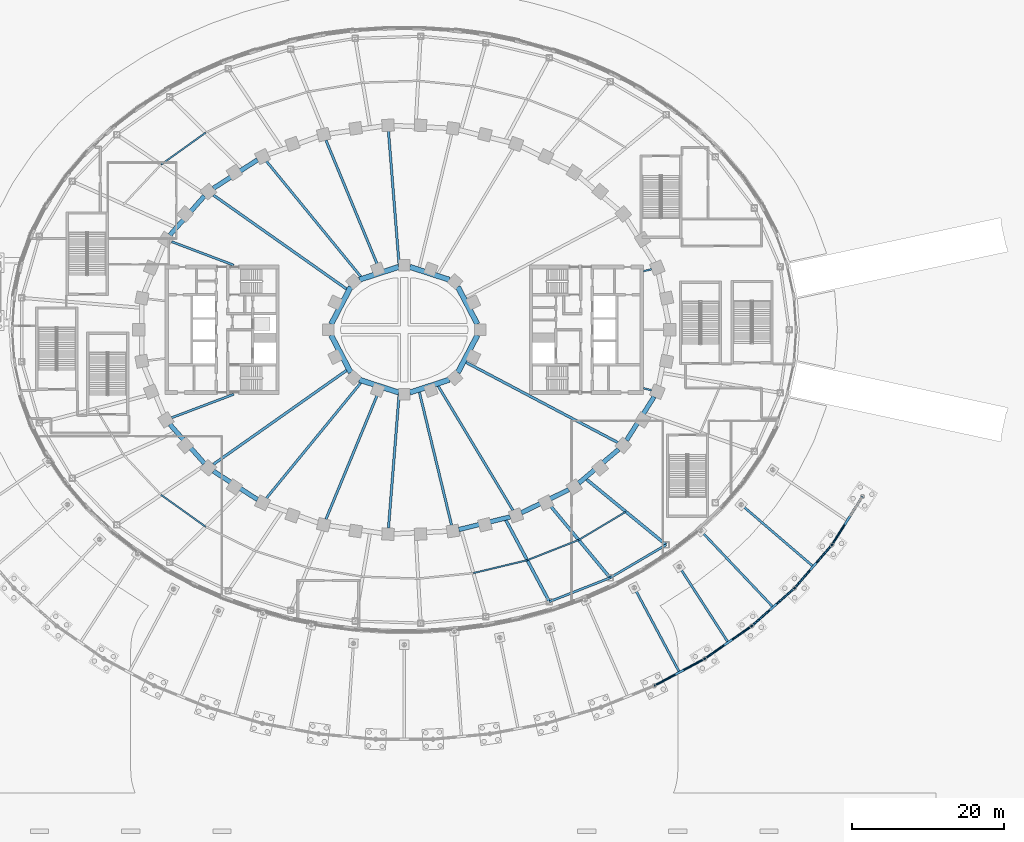
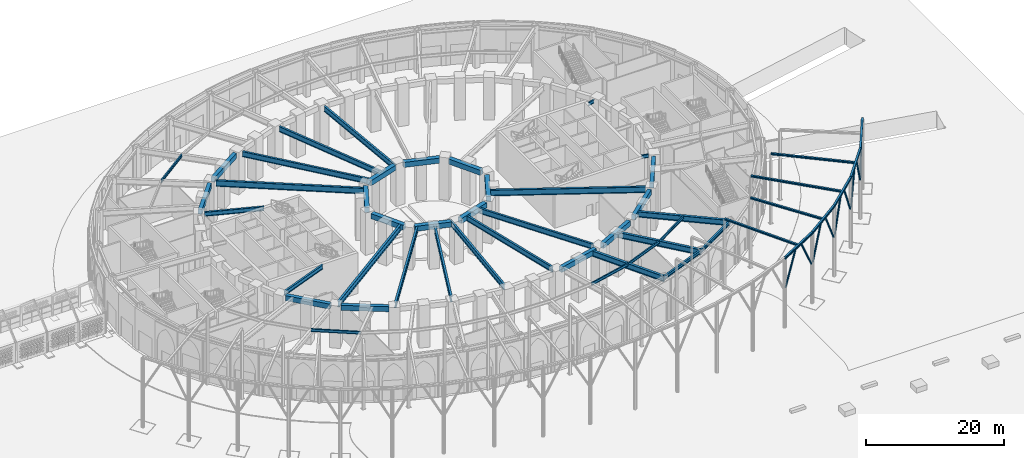
# One storey, part 31 of 79: 50 beams, 9 members.
"""IFC4 building model written with IfcOpenShell, lengths in metres."""

from ifc_helpers import new_model, si_unit, direction, frame, origin, origin_2d, place, context, subcontext, project, spatial, rectangle, hollow_circle, i_section, extrude, material, material_profile, profile_set, type_object, element, save


model = new_model("IFC4")

# Units and contexts
model_context = context("Model", 3, precision=1e-05, world=origin(), true_north=direction((0.0, 1.0)))
body_context = subcontext(model_context, "Body", "Model", "MODEL_VIEW")
ifc_project = project(units=[si_unit("LENGTHUNIT", "METRE"), si_unit("AREAUNIT", "SQUARE_METRE"), si_unit("VOLUMEUNIT", "CUBIC_METRE"), si_unit("PLANEANGLEUNIT", "RADIAN"), si_unit("MASSUNIT", "GRAM", prefix="KILO")], contexts=[model_context])

# Site, building, storey
site_placement = place(None, origin())
site = spatial("IfcSite", under=ifc_project, at=site_placement, CompositionType="ELEMENT")
building_placement = place(site_placement, origin())
building = spatial("IfcBuilding", under=site, at=building_placement, Name="Noorbagh Ring Tower", CompositionType="ELEMENT")
storey_placement = place(building_placement, origin())
storey = spatial("IfcBuildingStorey", under=building, at=storey_placement, Name="L00", CompositionType="ELEMENT", Elevation=0.0)

# Members
ifc_material_1 = material(Name="Steel S355", Category="steel")
ifc_material_profile_1 = material_profile(ifc_material_1, hollow_circle(Radius=0.136474609375, WallThickness=0.012451171875, at=origin_2d()), Name="CHS273x12.5")
ifc_profile_set_1 = profile_set([ifc_material_profile_1], Name="Steel S355")
member_type = type_object("IfcMemberType", Name="GND-CANOPY-BRANCH", PredefinedType="BRACE", material=ifc_profile_set_1)
for number, where, z_axis, x_axis, name in (
    (1, (33.068115234375, -46.768798828125, 6.873291015625), (0.416302445679, 0.222911822857, 0.881477505642), (-0.472044777021, 0.881574573413, 0.0), "Canopy branch 15.2"),
    (2, (39.356689453125, -43.401123046875, 6.873291015625), (-0.416302445679, -0.222911822857, 0.881477505642), (0.472044777021, -0.881574573413, 0.0), "Canopy branch 16.1"),
):
    element("IfcMember", number, at=place(storey_placement, frame(where, z_axis=z_axis, x_axis=x_axis)), inside=storey, type_object=member_type, Name=name, PredefinedType="BRACE", context=body_context, shape_type="SweptSolid", body=[
        extrude(hollow_circle(Radius=0.136474609375, WallThickness=0.012451171875, at=origin_2d()), origin(), (0.0, 0.0, 1.0), 5.9296875),
    ])
for number, where, z_axis, x_axis, name in (
    (3, (39.697021484375, -43.1923828125, 6.873291015625), (0.387444772852, 0.269934955454, 0.881488325398), (-0.571646825593, 0.820499790853, 0.0), "Canopy branch 16.2"),
    (4, (45.548583984375, -39.115234375, 6.873291015625), (-0.387409779018, -0.269939261478, 0.88150238697), (0.571687725155, -0.820471294384, 0.0), "Canopy branch 17.1"),
):
    element("IfcMember", number, at=place(storey_placement, frame(where, z_axis=z_axis, x_axis=x_axis)), inside=storey, type_object=member_type, Name=name, PredefinedType="BRACE", context=body_context, shape_type="SweptSolid", body=[
        extrude(hollow_circle(Radius=0.136474609375, WallThickness=0.012451171875, at=origin_2d()), origin(), (0.0, 0.0, 1.0), 5.929443359375),
    ])
for number, where, z_axis, x_axis, name in (
    (5, (45.86279296875, -38.868408203125, 6.873291015625), (0.353884098186, 0.312669673254, 0.881478145207), (-0.662120373146, 0.749397498972, 0.0), "Canopy branch 17.2"),
    (6, (51.207275390625, -34.146484375, 6.873291015625), (-0.353884098186, -0.312669673254, 0.881478145207), (0.662120373146, -0.749397498972, 0.0), "Canopy branch 18.1"),
):
    element("IfcMember", number, at=place(storey_placement, frame(where, z_axis=z_axis, x_axis=x_axis)), inside=storey, type_object=member_type, Name=name, PredefinedType="BRACE", context=body_context, shape_type="SweptSolid", body=[
        extrude(hollow_circle(Radius=0.136474609375, WallThickness=0.012451171875, at=origin_2d()), origin(), (0.0, 0.0, 1.0), 5.9296875),
    ])
for number, where, z_axis, x_axis, name in (
    (7, (51.48779296875, -33.86279296875, 6.873291015625), (0.308595633534, 0.357427444257, 0.881484178562), (-0.756919066248, 0.653508628214, 0.0), "Canopy branch 18.2"),
    (8, (56.1484375, -28.464599609375, 6.873291015625), (-0.308595633534, -0.357427444257, 0.881484178562), (0.756919066248, -0.653508628214, 0.0), "Canopy branch 19.1"),
):
    element("IfcMember", number, at=place(storey_placement, frame(where, z_axis=z_axis, x_axis=x_axis)), inside=storey, type_object=member_type, Name=name, PredefinedType="BRACE", context=body_context, shape_type="SweptSolid", body=[
        extrude(hollow_circle(Radius=0.136474609375, WallThickness=0.012451171875, at=origin_2d()), origin(), (0.0, 0.0, 1.0), 5.929443359375),
    ])
member_placement = place(storey_placement, frame((56.385986328125, -28.144287109375, 6.873291015625), z_axis=(0.252061231557, 0.399337125918, 0.881473196081), x_axis=(-0.845633897003, 0.533763348536, 0.0)))
element("IfcMember", 9, at=member_placement, inside=storey, type_object=member_type, Name="Canopy branch 19.2", PredefinedType="BRACE", context=body_context, shape_type="SweptSolid", body=[
    extrude(hollow_circle(Radius=0.136474609375, WallThickness=0.012451171875, at=origin_2d()), origin(), (0.0, 0.0, 1.0), 5.9296875),
])

# Beams
ifc_material_2 = material(Name="Steel S355", Category="steel")
ifc_material_profile_2 = material_profile(ifc_material_2, i_section(OverallWidth=0.300048828125, OverallDepth=0.300048828125, WebThickness=0.010986328125, FlangeThickness=0.01904296875, FilletRadius=0.027099609375, at=origin_2d()), Name="HEB300")
ifc_profile_set_2 = profile_set([ifc_material_profile_2], Name="Steel S355")
beam_type_1 = type_object("IfcBeamType", Name="GND-CANOPY-LINK", PredefinedType="BEAM", material=ifc_profile_set_2)
beam_1_placement = place(storey_placement, frame((30.27001953125, -33.952880859375, 12.300048828125), z_axis=(0.470903249663, -0.882184861271, 0.0), x_axis=(0.882184861271, 0.470903249663, 0.0)))
element("IfcBeam", 10, at=beam_1_placement, inside=storey, type_object=beam_type_1, Name="Canopy link beam", PredefinedType="BEAM", context=body_context, shape_type="SweptSolid", body=[
    extrude(i_section(OverallWidth=0.300048828125, OverallDepth=0.300048828125, WebThickness=0.010986328125, FlangeThickness=0.01904296875, FilletRadius=0.027099609375, at=origin_2d()), origin(), (0.0, 0.0, 1.0), 12.46875),
])
beam_2_placement = place(storey_placement, frame((36.18408203125, -31.1845703125, 12.300048828125), z_axis=(0.542544422172, -0.84002711264, 0.0), x_axis=(0.84002711264, 0.542544422172, 0.0)))
element("IfcBeam", 11, at=beam_2_placement, inside=storey, type_object=beam_type_1, Name="Canopy link beam", PredefinedType="BEAM", context=body_context, shape_type="SweptSolid", body=[
    extrude(i_section(OverallWidth=0.300048828125, OverallDepth=0.300048828125, WebThickness=0.010986328125, FlangeThickness=0.01904296875, FilletRadius=0.027099609375, at=origin_2d()), origin(), (0.0, 0.0, 1.0), 11.7177734375),
])
beam_3_placement = place(storey_placement, frame((38.998779296875, -26.435302734375, 12.300048828125), z_axis=(0.687527451499, -0.726158387293, 0.0), x_axis=(0.726158387293, 0.687527451499, 0.0)))
element("IfcBeam", 12, at=beam_3_placement, inside=storey, type_object=beam_type_1, Name="Canopy link beam", PredefinedType="BEAM", context=body_context, shape_type="SweptSolid", body=[
    extrude(i_section(OverallWidth=0.300048828125, OverallDepth=0.300048828125, WebThickness=0.010986328125, FlangeThickness=0.01904296875, FilletRadius=0.027099609375, at=origin_2d()), origin(), (0.0, 0.0, 1.0), 13.72021484375),
])
beam_4_placement = place(storey_placement, frame((44.3251953125, -23.014404296875, 12.300048828125), z_axis=(0.75876703225, -0.651362104187, 0.0), x_axis=(0.651362104187, 0.75876703225, 0.0)))
element("IfcBeam", 13, at=beam_4_placement, inside=storey, type_object=beam_type_1, Name="Canopy link beam", PredefinedType="BEAM", context=body_context, shape_type="SweptSolid", body=[
    extrude(i_section(OverallWidth=0.300048828125, OverallDepth=0.300048828125, WebThickness=0.010986328125, FlangeThickness=0.01904296875, FilletRadius=0.027099609375, at=origin_2d()), origin(), (0.0, 0.0, 1.0), 12.361083984375),
])
ifc_material_3 = material(Name="Steel S355", Category="steel")
ifc_material_profile_3 = material_profile(ifc_material_3, i_section(OverallWidth=0.300048828125, OverallDepth=0.39990234375, WebThickness=0.013427734375, FlangeThickness=0.02392578125, FilletRadius=0.027099609375, at=origin_2d()), Name="HEB400")
ifc_profile_set_3 = profile_set([ifc_material_profile_3], Name="Steel S355")
beam_type_2 = type_object("IfcBeamType", Name="GND-CANOPY-RING", PredefinedType="BEAM", material=ifc_profile_set_3)
beam_5_placement = place(storey_placement, frame((32.891845703125, -46.863037109375, 12.25), z_axis=(0.88156764003, 0.472057725339, 0.0), x_axis=(-0.472057725339, 0.88156764003, 0.0)))
element("IfcBeam", 14, at=beam_5_placement, inside=storey, type_object=beam_type_2, Name="Canopy ring beam", PredefinedType="BEAM", context=body_context, shape_type="SweptSolid", body=[
    extrude(i_section(OverallWidth=0.300048828125, OverallDepth=0.39990234375, WebThickness=0.013427734375, FlangeThickness=0.02392578125, FilletRadius=0.027099609375, at=origin_2d()), origin(), (0.0, 0.0, 1.0), 7.533203125),
])
beam_6_placement = place(storey_placement, frame((39.532958984375, -43.306884765625, 12.25), z_axis=(0.820480173426, 0.571674981974, 0.0), x_axis=(-0.571674981974, 0.820480173426, 0.0)))
element("IfcBeam", 15, at=beam_6_placement, inside=storey, type_object=beam_type_2, Name="Canopy ring beam", PredefinedType="BEAM", context=body_context, shape_type="SweptSolid", body=[
    extrude(i_section(OverallWidth=0.300048828125, OverallDepth=0.39990234375, WebThickness=0.013427734375, FlangeThickness=0.02392578125, FilletRadius=0.027099609375, at=origin_2d()), origin(), (0.0, 0.0, 1.0), 7.531982421875),
])
for number, where, z_axis, x_axis, name in (
    (16, (45.712890625, -39.0009765625, 12.25), (0.749405388458, 0.662111443603, 0.0), (-0.662111443603, 0.749405388458, 0.0), "Canopy ring beam"),
    (17, (51.357177734375, -34.01416015625, 12.25), (0.653512684312, 0.756915564276, 0.0), (-0.756915564276, 0.653512684312, 0.0), "Canopy ring beam"),
):
    element("IfcBeam", number, at=place(storey_placement, frame(where, z_axis=z_axis, x_axis=x_axis)), inside=storey, type_object=beam_type_2, Name=name, PredefinedType="BEAM", context=body_context, shape_type="SweptSolid", body=[
        extrude(i_section(OverallWidth=0.300048828125, OverallDepth=0.39990234375, WebThickness=0.013427734375, FlangeThickness=0.02392578125, FilletRadius=0.027099609375, at=origin_2d()), origin(), (0.0, 0.0, 1.0), 7.53173828125),
    ])
beam_7_placement = place(storey_placement, frame((56.279296875, -28.313232421875, 12.25), z_axis=(0.533768479391, 0.845630658389, 0.0), x_axis=(-0.845630658389, 0.533768479391, 0.0)))
element("IfcBeam", 18, at=beam_7_placement, inside=storey, type_object=beam_type_2, Name="Canopy ring beam", PredefinedType="BEAM", context=body_context, shape_type="SweptSolid", body=[
    extrude(i_section(OverallWidth=0.300048828125, OverallDepth=0.39990234375, WebThickness=0.013427734375, FlangeThickness=0.02392578125, FilletRadius=0.027099609375, at=origin_2d()), origin(), (0.0, 0.0, 1.0), 7.528564453125),
])
ifc_material_4 = material(Name="Steel S355", Category="steel")
ifc_material_profile_4 = material_profile(ifc_material_4, i_section(OverallWidth=0.300048828125, OverallDepth=0.60009765625, WebThickness=0.015380859375, FlangeThickness=0.030029296875, FilletRadius=0.027099609375, at=origin_2d()), Name="HEB600")
ifc_profile_set_4 = profile_set([ifc_material_profile_4], Name="Steel S355")
beam_type_3 = type_object("IfcBeamType", Name="GND-EDGE-BEAM-HEB600", PredefinedType="BEAM", material=ifc_profile_set_4)
beam_8_placement = place(storey_placement, frame((19.0966796875, -35.791748046875, 6.949951171875), z_axis=(0.930571668723, 0.366109777758, 0.0), x_axis=(-0.366109777758, 0.930571668723, 0.0)))
element("IfcBeam", 19, at=beam_8_placement, inside=storey, type_object=beam_type_3, Name="L00/bm/ERP-28", PredefinedType="BEAM", context=body_context, shape_type="SweptSolid", body=[
    extrude(i_section(OverallWidth=0.300048828125, OverallDepth=0.60009765625, WebThickness=0.015380859375, FlangeThickness=0.030029296875, FilletRadius=0.027099609375, at=origin_2d()), origin(), (0.0, 0.0, 1.0), 8.58642578125),
])
beam_9_placement = place(storey_placement, frame((27.0869140625, -32.648193359375, 6.949951171875), z_axis=(0.8618652907, 0.507137279922, 0.0), x_axis=(-0.507137279922, 0.8618652907, 0.0)))
element("IfcBeam", 20, at=beam_9_placement, inside=storey, type_object=beam_type_3, Name="L00/bm/ERP-29", PredefinedType="BEAM", context=body_context, shape_type="SweptSolid", body=[
    extrude(i_section(OverallWidth=0.300048828125, OverallDepth=0.60009765625, WebThickness=0.015380859375, FlangeThickness=0.030029296875, FilletRadius=0.027099609375, at=origin_2d()), origin(), (0.0, 0.0, 1.0), 8.560302734375),
])
ifc_material_5 = material(Name="Steel S355", Category="steel")
ifc_material_profile_5 = material_profile(ifc_material_5, i_section(OverallWidth=0.39990234375, OverallDepth=1.0, WebThickness=0.01611328125, FlangeThickness=0.0400390625, at=origin_2d()), Name="PG1000x400x16x40")
ifc_profile_set_5 = profile_set([ifc_material_profile_5], Name="Steel S355")
beam_type_4 = type_object("IfcBeamType", Name="GND-GIRDER-PG1000x400x16x40", PredefinedType="BEAM", material=ifc_profile_set_5)
beam_10_placement = place(storey_placement, frame((19.0966796875, -35.791748046875, 6.75), z_axis=(-0.470746944877, 0.88226827773, 0.0), x_axis=(-0.88226827773, -0.470746944877, 0.0)))
element("IfcBeam", 21, at=beam_10_placement, inside=storey, type_object=beam_type_4, Name="L00/bm/GRP-28", PredefinedType="BEAM", context=body_context, shape_type="SweptSolid", body=[
    extrude(i_section(OverallWidth=0.39990234375, OverallDepth=1.0, WebThickness=0.01611328125, FlangeThickness=0.0400390625, at=origin_2d()), origin(), (0.0, 0.0, 1.0), 12.375),
])
beam_11_placement = place(storey_placement, frame((27.0869140625, -32.648193359375, 6.75), z_axis=(-0.638516852805, 0.769607840841, 0.0), x_axis=(-0.769607840841, -0.638516852805, 0.0)))
element("IfcBeam", 22, at=beam_11_placement, inside=storey, type_object=beam_type_4, Name="L00/bm/GRP-29", PredefinedType="BEAM", context=body_context, shape_type="SweptSolid", body=[
    extrude(i_section(OverallWidth=0.39990234375, OverallDepth=1.0, WebThickness=0.01611328125, FlangeThickness=0.0400390625, at=origin_2d()), origin(), (0.0, 0.0, 1.0), 12.943603515625),
])
beam_12_placement = place(storey_placement, frame((34.46484375, -28.306884765625, 6.75), z_axis=(-0.772763025599, 0.63469465593, 0.0), x_axis=(-0.63469465593, -0.772763025599, 0.0)))
element("IfcBeam", 23, at=beam_12_placement, inside=storey, type_object=beam_type_4, Name="L00/bm/GRP-30", PredefinedType="BEAM", context=body_context, shape_type="SweptSolid", body=[
    extrude(i_section(OverallWidth=0.39990234375, OverallDepth=1.0, WebThickness=0.01611328125, FlangeThickness=0.0400390625, at=origin_2d()), origin(), (0.0, 0.0, 1.0), 13.723388671875),
])
ifc_material_6 = material(Name="Steel S355", Category="steel")
ifc_material_profile_6 = material_profile(ifc_material_6, i_section(OverallWidth=0.199951171875, OverallDepth=0.5, WebThickness=0.01025390625, FlangeThickness=0.01611328125, FilletRadius=0.02099609375, at=origin_2d()), Name="IPE500")
ifc_profile_set_6 = profile_set([ifc_material_profile_6], Name="Steel S355")
beam_type_5 = type_object("IfcBeamType", Name="GND-MID-BEAM-IPE500", PredefinedType="JOIST", material=ifc_profile_set_6)
for number, where, z_axis, x_axis, name in (
    (24, (-26.13671875, 25.933349609375, 7.0), (-0.813381743113, -0.581730298308, 0.0), (0.581730298308, -0.813381743113, 0.0), "L00/bm/MRP-13"),
    (25, (-32.013916015625, -21.72998046875, 7.0), (0.813381743113, -0.581730298308, 0.0), (0.581730298308, 0.813381743113, 0.0), "L00/bm/MRP-21"),
):
    element("IfcBeam", number, at=place(storey_placement, frame(where, z_axis=z_axis, x_axis=x_axis)), inside=storey, type_object=beam_type_5, Name=name, PredefinedType="JOIST", context=body_context, shape_type="SweptSolid", body=[
        extrude(i_section(OverallWidth=0.199951171875, OverallDepth=0.5, WebThickness=0.01025390625, FlangeThickness=0.01611328125, FilletRadius=0.02099609375, at=origin_2d()), origin(), (0.0, 0.0, 1.0), 7.2255859375),
    ])
beam_13_placement = place(storey_placement, frame((9.093994140625, -32.028564453125, 7.0), z_axis=(0.972568186564, 0.23261797541, 0.0), x_axis=(-0.23261797541, 0.972568186564, 0.0)))
element("IfcBeam", 26, at=beam_13_placement, inside=storey, type_object=beam_type_5, Name="L00/bm/MRP-27", PredefinedType="JOIST", context=body_context, shape_type="SweptSolid", body=[
    extrude(i_section(OverallWidth=0.199951171875, OverallDepth=0.5, WebThickness=0.01025390625, FlangeThickness=0.01611328125, FilletRadius=0.02099609375, at=origin_2d()), origin(), (0.0, 0.0, 1.0), 7.2900390625),
])
beam_14_placement = place(storey_placement, frame((16.18408203125, -30.332763671875, 7.0), z_axis=(0.930496782909, 0.36630006415, 0.0), x_axis=(-0.36630006415, 0.930496782909, 0.0)))
element("IfcBeam", 27, at=beam_14_placement, inside=storey, type_object=beam_type_5, Name="L00/bm/MRP-28", PredefinedType="JOIST", context=body_context, shape_type="SweptSolid", body=[
    extrude(i_section(OverallWidth=0.199951171875, OverallDepth=0.5, WebThickness=0.01025390625, FlangeThickness=0.01611328125, FilletRadius=0.02099609375, at=origin_2d()), origin(), (0.0, 0.0, 1.0), 7.276123046875),
])
beam_15_placement = place(storey_placement, frame((22.95458984375, -27.66748046875, 7.0), z_axis=(0.858046251749, 0.513572419293, 0.0), x_axis=(-0.513572419293, 0.858046251749, 0.0)))
element("IfcBeam", 28, at=beam_15_placement, inside=storey, type_object=beam_type_5, Name="L00/bm/MRP-29", PredefinedType="JOIST", context=body_context, shape_type="SweptSolid", body=[
    extrude(i_section(OverallWidth=0.199951171875, OverallDepth=0.5, WebThickness=0.01025390625, FlangeThickness=0.01611328125, FilletRadius=0.02099609375, at=origin_2d()), origin(), (0.0, 0.0, 1.0), 7.23486328125),
])
ifc_material_7 = material(Name="Steel S355", Category="steel")
ifc_material_profile_7 = material_profile(ifc_material_7, i_section(OverallWidth=0.219970703125, OverallDepth=0.60009765625, WebThickness=0.011962890625, FlangeThickness=0.01904296875, FilletRadius=0.02392578125, at=origin_2d()), Name="IPE600")
ifc_profile_set_7 = profile_set([ifc_material_profile_7], Name="Steel S355")
beam_type_6 = type_object("IfcBeamType", Name="STR-RAD-IPE600", PredefinedType="BEAM", material=ifc_profile_set_7)
for number, where, z_axis, x_axis, name in (
    (29, (32.538818359375, 7.9619140625, 6.949951171875), (-0.971330054052, -0.237734991315, 0.0), (0.237734991315, -0.971330054052, 0.0), "L00/bm/RD03"),
    (30, (32.538818359375, -7.9619140625, 6.949951171875), (-0.971330054052, 0.237734991315, 0.0), (-0.237734991315, -0.971330054052, 0.0), "L00/bm/RD45"),
):
    element("IfcBeam", number, at=place(storey_placement, frame(where, z_axis=z_axis, x_axis=x_axis)), inside=storey, type_object=beam_type_6, Name=name, PredefinedType="BEAM", context=body_context, shape_type="SweptSolid", body=[
        extrude(i_section(OverallWidth=0.219970703125, OverallDepth=0.60009765625, WebThickness=0.011962890625, FlangeThickness=0.01904296875, FilletRadius=0.02392578125, at=origin_2d()), origin(), (0.0, 0.0, 1.0), 1.089599609375),
    ])
ifc_material_8 = material(Name="Steel S355", Category="steel")
ifc_material_profile_8 = material_profile(ifc_material_8, i_section(OverallWidth=0.35009765625, OverallDepth=1.050048828125, WebThickness=0.01806640625, FlangeThickness=0.033935546875, at=origin_2d()), Name="PG1050x350x18x34")
ifc_profile_set_8 = profile_set([ifc_material_profile_8], Name="Steel S355")
beam_type_7 = type_object("IfcBeamType", Name="STR-RAD-PG1050x350x18x34", PredefinedType="BEAM", material=ifc_profile_set_8)
for number, where, z_axis, x_axis, name in (
    (31, (-25.12353515625, 17.715576171875, 6.72509765625), (0.817253259362, -0.576278673961, 0.0), (0.576278673961, 0.817253259362, 0.0), "L00/bm/RD19"),
    (32, (-25.12353515625, -17.715576171875, 6.72509765625), (0.817253259362, 0.576278673961, 0.0), (-0.576278673961, 0.817253259362, 0.0), "L00/bm/RD29"),
):
    element("IfcBeam", number, at=place(storey_placement, frame(where, z_axis=z_axis, x_axis=x_axis)), inside=storey, type_object=beam_type_7, Name=name, PredefinedType="BEAM", context=body_context, shape_type="SweptSolid", body=[
        extrude(i_section(OverallWidth=0.35009765625, OverallDepth=1.050048828125, WebThickness=0.01806640625, FlangeThickness=0.033935546875, at=origin_2d()), origin(), (0.0, 0.0, 1.0), 21.471435546875),
    ])
beam_16_placement = place(storey_placement, frame((28.108642578125, -14.855224609375, 6.72509765625), z_axis=(-0.884121906441, 0.467256304988, 0.0), x_axis=(-0.467256304988, -0.884121906441, 0.0)))
element("IfcBeam", 33, at=beam_16_placement, inside=storey, type_object=beam_type_7, Name="L00/bm/RD43", PredefinedType="BEAM", context=body_context, shape_type="SweptSolid", body=[
    extrude(i_section(OverallWidth=0.35009765625, OverallDepth=1.050048828125, WebThickness=0.01806640625, FlangeThickness=0.033935546875, at=origin_2d()), origin(), (0.0, 0.0, 1.0), 22.601806640625),
])
ifc_material_9 = material(Name="Steel S355", Category="steel")
ifc_material_profile_9 = material_profile(ifc_material_9, i_section(OverallWidth=0.300048828125, OverallDepth=0.75, WebThickness=0.013916015625, FlangeThickness=0.02587890625, at=origin_2d()), Name="PG750x300x14x26")
ifc_profile_set_9 = profile_set([ifc_material_profile_9], Name="Steel S355")
beam_type_8 = type_object("IfcBeamType", Name="STR-RAD-PG750x300x14x26", PredefinedType="BEAM", material=ifc_profile_set_9)
for number, where, z_axis, x_axis, name in (
    (34, (-30.619873046875, 11.5888671875, 6.875), (0.935258038122, -0.353966668102, 0.0), (0.353966668102, 0.935258038122, 0.0), "L00/bm/RD21"),
    (35, (-30.619873046875, -11.5888671875, 6.875), (0.935258038122, 0.353966668102, 0.0), (-0.353966668102, 0.935258038122, 0.0), "L00/bm/RD27"),
):
    element("IfcBeam", number, at=place(storey_placement, frame(where, z_axis=z_axis, x_axis=x_axis)), inside=storey, type_object=beam_type_8, Name=name, PredefinedType="BEAM", context=body_context, shape_type="SweptSolid", body=[
        extrude(i_section(OverallWidth=0.300048828125, OverallDepth=0.75, WebThickness=0.013916015625, FlangeThickness=0.02587890625, at=origin_2d()), origin(), (0.0, 0.0, 1.0), 8.746337890625),
    ])
ifc_material_10 = material(Name="Steel S355", Category="steel")
ifc_material_profile_10 = material_profile(ifc_material_10, i_section(OverallWidth=0.320068359375, OverallDepth=0.949951171875, WebThickness=0.01611328125, FlangeThickness=0.030029296875, at=origin_2d()), Name="PG950x320x16x30")
ifc_profile_set_10 = profile_set([ifc_material_profile_10], Name="Steel S355")
beam_type_9 = type_object("IfcBeamType", Name="STR-RAD-PG950x320x16x30", PredefinedType="BEAM", material=ifc_profile_set_10)
beam_17_placement = place(storey_placement, frame((-2.081298828125, 26.1201171875, 6.77490234375), z_axis=(0.079425808882, -0.996840780107, 0.0), x_axis=(0.996840780107, 0.079425808882, 0.0)))
element("IfcBeam", 36, at=beam_17_placement, inside=storey, type_object=beam_type_9, Name="L00/bm/RD13", PredefinedType="BEAM", context=body_context, shape_type="SweptSolid", body=[
    extrude(i_section(OverallWidth=0.320068359375, OverallDepth=0.949951171875, WebThickness=0.01611328125, FlangeThickness=0.030029296875, at=origin_2d()), origin(), (0.0, 0.0, 1.0), 18.227783203125),
])
beam_18_placement = place(storey_placement, frame((-10.311767578125, 24.9443359375, 6.77490234375), z_axis=(0.382034392842, -0.924148106467, 0.0), x_axis=(0.924148106467, 0.382034392842, 0.0)))
element("IfcBeam", 37, at=beam_18_placement, inside=storey, type_object=beam_type_9, Name="L00/bm/RD15", PredefinedType="BEAM", context=body_context, shape_type="SweptSolid", body=[
    extrude(i_section(OverallWidth=0.320068359375, OverallDepth=0.949951171875, WebThickness=0.01611328125, FlangeThickness=0.030029296875, at=origin_2d()), origin(), (0.0, 0.0, 1.0), 18.548583984375),
])
for number, where, z_axis, x_axis, name in (
    (38, (-18.138427734375, 22.164794921875, 6.77490234375), (0.633308995725, -0.773899034715, 0.0), (0.773899034715, 0.633308995725, 0.0), "L00/bm/RD17"),
    (39, (-18.138427734375, -22.164794921875, 6.77490234375), (0.633308995725, 0.773899034715, 0.0), (-0.773899034715, 0.633308995725, 0.0), "L00/bm/RD31"),
):
    element("IfcBeam", number, at=place(storey_placement, frame(where, z_axis=z_axis, x_axis=x_axis)), inside=storey, type_object=beam_type_9, Name=name, PredefinedType="BEAM", context=body_context, shape_type="SweptSolid", body=[
        extrude(i_section(OverallWidth=0.320068359375, OverallDepth=0.949951171875, WebThickness=0.01611328125, FlangeThickness=0.030029296875, at=origin_2d()), origin(), (0.0, 0.0, 1.0), 19.603759765625),
    ])
beam_19_placement = place(storey_placement, frame((-10.311767578125, -24.9443359375, 6.77490234375), z_axis=(0.382034392842, 0.924148106467, 0.0), x_axis=(-0.924148106467, 0.382034392842, 0.0)))
element("IfcBeam", 40, at=beam_19_placement, inside=storey, type_object=beam_type_9, Name="L00/bm/RD33", PredefinedType="BEAM", context=body_context, shape_type="SweptSolid", body=[
    extrude(i_section(OverallWidth=0.320068359375, OverallDepth=0.949951171875, WebThickness=0.01611328125, FlangeThickness=0.030029296875, at=origin_2d()), origin(), (0.0, 0.0, 1.0), 18.548583984375),
])
beam_20_placement = place(storey_placement, frame((-2.081298828125, -26.1201171875, 6.77490234375), z_axis=(0.079425808882, 0.996840780107, 0.0), x_axis=(-0.996840780107, 0.079425808882, 0.0)))
element("IfcBeam", 41, at=beam_20_placement, inside=storey, type_object=beam_type_9, Name="L00/bm/RD35", PredefinedType="BEAM", context=body_context, shape_type="SweptSolid", body=[
    extrude(i_section(OverallWidth=0.320068359375, OverallDepth=0.949951171875, WebThickness=0.01611328125, FlangeThickness=0.030029296875, at=origin_2d()), origin(), (0.0, 0.0, 1.0), 18.227783203125),
])
beam_21_placement = place(storey_placement, frame((6.22509765625, -25.729248046875, 6.77490234375), z_axis=(-0.235155855534, 0.971957675832, 0.0), x_axis=(-0.971957675832, -0.235155855534, 0.0)))
element("IfcBeam", 42, at=beam_21_placement, inside=storey, type_object=beam_type_9, Name="L00/bm/RD37", PredefinedType="BEAM", context=body_context, shape_type="SweptSolid", body=[
    extrude(i_section(OverallWidth=0.320068359375, OverallDepth=0.949951171875, WebThickness=0.01611328125, FlangeThickness=0.030029296875, at=origin_2d()), origin(), (0.0, 0.0, 1.0), 18.029541015625),
])
beam_22_placement = place(storey_placement, frame((14.29931640625, -23.759033203125, 6.77490234375), z_axis=(-0.515655762899, 0.856795853275, 0.0), x_axis=(-0.856795853275, -0.515655762899, 0.0)))
element("IfcBeam", 43, at=beam_22_placement, inside=storey, type_object=beam_type_9, Name="L00/bm/RD39", PredefinedType="BEAM", context=body_context, shape_type="SweptSolid", body=[
    extrude(i_section(OverallWidth=0.320068359375, OverallDepth=0.949951171875, WebThickness=0.01611328125, FlangeThickness=0.030029296875, at=origin_2d()), origin(), (0.0, 0.0, 1.0), 19.0888671875),
])
ifc_material_11 = material(Name="Concrete C40/50", Category="concrete")
ifc_material_profile_11 = material_profile(ifc_material_11, rectangle(XDim=0.699951171875, YDim=0.89990234375, at=origin_2d()), Name="RC700x900")
ifc_profile_set_11 = profile_set([ifc_material_profile_11], Name="Concrete C40/50")
beam_type_10 = type_object("IfcBeamType", Name="STR-RB-RC700x900-C40-50", PredefinedType="BEAM", material=ifc_profile_set_11)
beam_23_placement = place(storey_placement, frame((9.623779296875, 0.732177734375, 6.800048828125), z_axis=(-0.464916752751, 0.885354399668, 0.0), x_axis=(-0.885354399668, -0.464916752751, 0.0)))
element("IfcBeam", 44, at=beam_23_placement, inside=storey, type_object=beam_type_10, Name="L00/bm/RG01", PredefinedType="BEAM", context=body_context, shape_type="SweptSolid", body=[
    extrude(rectangle(XDim=0.699951171875, YDim=0.89990234375, at=origin_2d()), origin(), (0.0, 0.0, 1.0), 5.543701171875),
])
for number, where, z_axis, x_axis, name in (
    (45, (5.92431640625, 6.579833984375, 6.800048828125), (-0.951144414124, 0.308746341648, 0.0), (-0.308746341648, -0.951144414124, 0.0), "L00/bm/RG03"),
    (46, (-0.73095703125, 8.265625, 6.800048828125), (-0.951144414124, -0.308746341648, 0.0), (0.308746341648, -0.951144414124, 0.0), "L00/bm/RG05"),
):
    element("IfcBeam", number, at=place(storey_placement, frame(where, z_axis=z_axis, x_axis=x_axis)), inside=storey, type_object=beam_type_10, Name=name, PredefinedType="BEAM", context=body_context, shape_type="SweptSolid", body=[
        extrude(rectangle(XDim=0.699951171875, YDim=0.89990234375, at=origin_2d()), origin(), (0.0, 0.0, 1.0), 5.460205078125),
    ])
for number, where, z_axis, x_axis, name in (
    (47, (-7.04638671875, 5.640380859375, 6.800048828125), (-0.464916752751, -0.885354399668, 0.0), (0.885354399668, -0.464916752751, 0.0), "L00/bm/RG07"),
    (48, (-9.623779296875, -0.732177734375, 6.800048828125), (0.464916752751, -0.885354399668, 0.0), (0.885354399668, 0.464916752751, 0.0), "L00/bm/RG09"),
):
    element("IfcBeam", number, at=place(storey_placement, frame(where, z_axis=z_axis, x_axis=x_axis)), inside=storey, type_object=beam_type_10, Name=name, PredefinedType="BEAM", context=body_context, shape_type="SweptSolid", body=[
        extrude(rectangle(XDim=0.699951171875, YDim=0.89990234375, at=origin_2d()), origin(), (0.0, 0.0, 1.0), 5.543701171875),
    ])
for number, where, z_axis, x_axis, name in (
    (49, (-5.92431640625, -6.579833984375, 6.800048828125), (0.951144414124, -0.308746341648, 0.0), (0.308746341648, 0.951144414124, 0.0), "L00/bm/RG11"),
    (50, (0.73095703125, -8.265625, 6.800048828125), (0.951144414124, 0.308746341648, 0.0), (-0.308746341648, 0.951144414124, 0.0), "L00/bm/RG13"),
):
    element("IfcBeam", number, at=place(storey_placement, frame(where, z_axis=z_axis, x_axis=x_axis)), inside=storey, type_object=beam_type_10, Name=name, PredefinedType="BEAM", context=body_context, shape_type="SweptSolid", body=[
        extrude(rectangle(XDim=0.699951171875, YDim=0.89990234375, at=origin_2d()), origin(), (0.0, 0.0, 1.0), 5.460205078125),
    ])
beam_24_placement = place(storey_placement, frame((7.04638671875, -5.640380859375, 6.800048828125), z_axis=(0.464916752751, 0.885354399668, 0.0), x_axis=(-0.885354399668, 0.464916752751, 0.0)))
element("IfcBeam", 51, at=beam_24_placement, inside=storey, type_object=beam_type_10, Name="L00/bm/RG15", PredefinedType="BEAM", context=body_context, shape_type="SweptSolid", body=[
    extrude(rectangle(XDim=0.699951171875, YDim=0.89990234375, at=origin_2d()), origin(), (0.0, 0.0, 1.0), 5.543701171875),
])
ifc_material_12 = material(Name="Concrete C40/50", Category="concrete")
ifc_material_profile_12 = material_profile(ifc_material_12, rectangle(XDim=0.60009765625, YDim=0.89990234375, at=origin_2d()), Name="RC600x900")
ifc_profile_set_12 = profile_set([ifc_material_profile_12], Name="Concrete C40/50")
beam_type_11 = type_object("IfcBeamType", Name="STR-SB-RC600x900-C40-50", PredefinedType="BEAM", material=ifc_profile_set_12)
beam_25_placement = place(storey_placement, frame((-19.306396484375, 22.359375, 6.800048828125), z_axis=(-0.840249989986, -0.542199183261, 0.0), x_axis=(0.542199183261, -0.840249989986, 0.0)))
element("IfcBeam", 52, at=beam_25_placement, inside=storey, type_object=beam_type_11, Name="L00/bm/SP17", PredefinedType="BEAM", context=body_context, shape_type="SweptSolid", body=[
    extrude(rectangle(XDim=0.60009765625, YDim=0.89990234375, at=origin_2d()), origin(), (0.0, 0.0, 1.0), 6.9208984375),
])
for number, where, z_axis, x_axis, name in (
    (53, (-26.30517578125, 17.58984375, 6.800048828125), (-0.662635440904, -0.748942102206, 0.0), (0.748942102206, -0.662635440904, 0.0), "L00/bm/SP19"),
    (54, (-30.84130859375, -12.462890625, 6.800048828125), (0.662635440904, -0.748942102206, 0.0), (0.748942102206, 0.662635440904, 0.0), "L00/bm/SP27"),
):
    element("IfcBeam", number, at=place(storey_placement, frame(where, z_axis=z_axis, x_axis=x_axis)), inside=storey, type_object=beam_type_11, Name=name, PredefinedType="BEAM", context=body_context, shape_type="SweptSolid", body=[
        extrude(rectangle(XDim=0.60009765625, YDim=0.89990234375, at=origin_2d()), origin(), (0.0, 0.0, 1.0), 6.845703125),
    ])
beam_26_placement = place(storey_placement, frame((-25.12158203125, -18.60693359375, 6.800048828125), z_axis=(0.840249989986, -0.542199183261, 0.0), x_axis=(0.542199183261, 0.840249989986, 0.0)))
element("IfcBeam", 55, at=beam_26_placement, inside=storey, type_object=beam_type_11, Name="L00/bm/SP29", PredefinedType="BEAM", context=body_context, shape_type="SweptSolid", body=[
    extrude(rectangle(XDim=0.60009765625, YDim=0.89990234375, at=origin_2d()), origin(), (0.0, 0.0, 1.0), 6.9208984375),
])
beam_27_placement = place(storey_placement, frame((7.170166015625, -26.302978515625, 6.800048828125), z_axis=(0.970827667704, 0.239778313491, 0.0), x_axis=(-0.239778313491, 0.970827667704, 0.0)))
element("IfcBeam", 56, at=beam_27_placement, inside=storey, type_object=beam_type_11, Name="L00/bm/SP37", PredefinedType="BEAM", context=body_context, shape_type="SweptSolid", body=[
    extrude(rectangle(XDim=0.60009765625, YDim=0.89990234375, at=origin_2d()), origin(), (0.0, 0.0, 1.0), 6.981689453125),
])
beam_28_placement = place(storey_placement, frame((15.41455078125, -24.09619140625, 6.800048828125), z_axis=(0.898397301801, 0.439183661031, 0.0), x_axis=(-0.439183661031, 0.898397301801, 0.0)))
element("IfcBeam", 57, at=beam_28_placement, inside=storey, type_object=beam_type_11, Name="L00/bm/SP39", PredefinedType="BEAM", context=body_context, shape_type="SweptSolid", body=[
    extrude(rectangle(XDim=0.60009765625, YDim=0.89990234375, at=origin_2d()), origin(), (0.0, 0.0, 1.0), 6.947509765625),
])
beam_29_placement = place(storey_placement, frame((22.96240234375, -20.19140625, 6.800048828125), z_axis=(0.763029833708, 0.646363266957, 0.0), x_axis=(-0.646363266957, 0.763029833708, 0.0)))
element("IfcBeam", 58, at=beam_29_placement, inside=storey, type_object=beam_type_11, Name="L00/bm/SP41", PredefinedType="BEAM", context=body_context, shape_type="SweptSolid", body=[
    extrude(rectangle(XDim=0.60009765625, YDim=0.89990234375, at=origin_2d()), origin(), (0.0, 0.0, 1.0), 6.886962890625),
])
beam_30_placement = place(storey_placement, frame((29.24169921875, -14.56298828125, 6.800048828125), z_axis=(0.535204111644, 0.844722770428, 0.0), x_axis=(-0.844722770428, 0.535204111644, 0.0)))
element("IfcBeam", 59, at=beam_30_placement, inside=storey, type_object=beam_type_11, Name="L00/bm/SP43", PredefinedType="BEAM", context=body_context, shape_type="SweptSolid", body=[
    extrude(rectangle(XDim=0.60009765625, YDim=0.89990234375, at=origin_2d()), origin(), (0.0, 0.0, 1.0), 6.800048828125),
])

save(model, "model.ifc")
